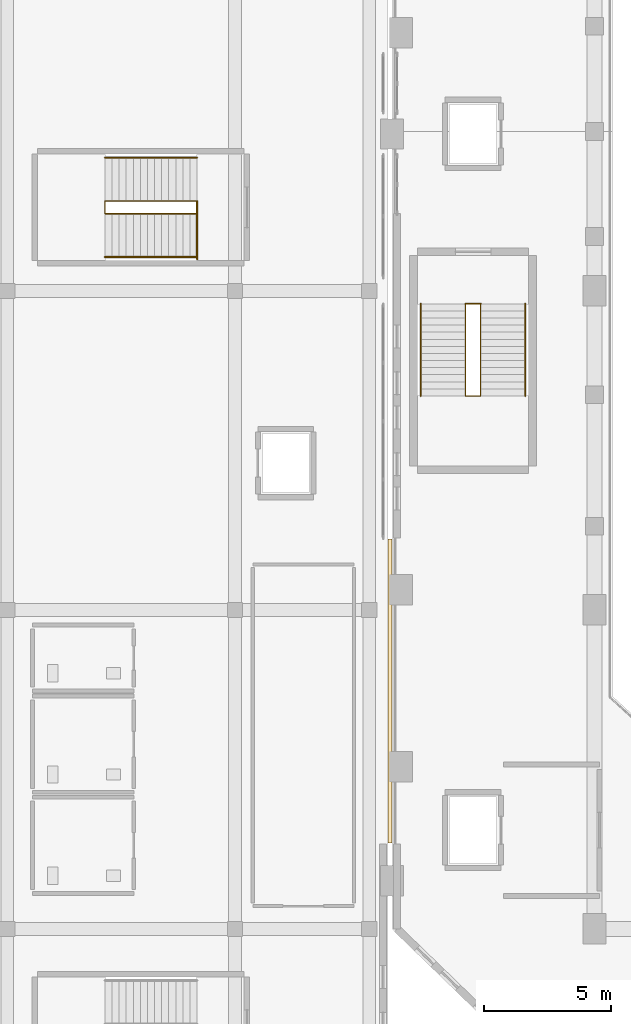
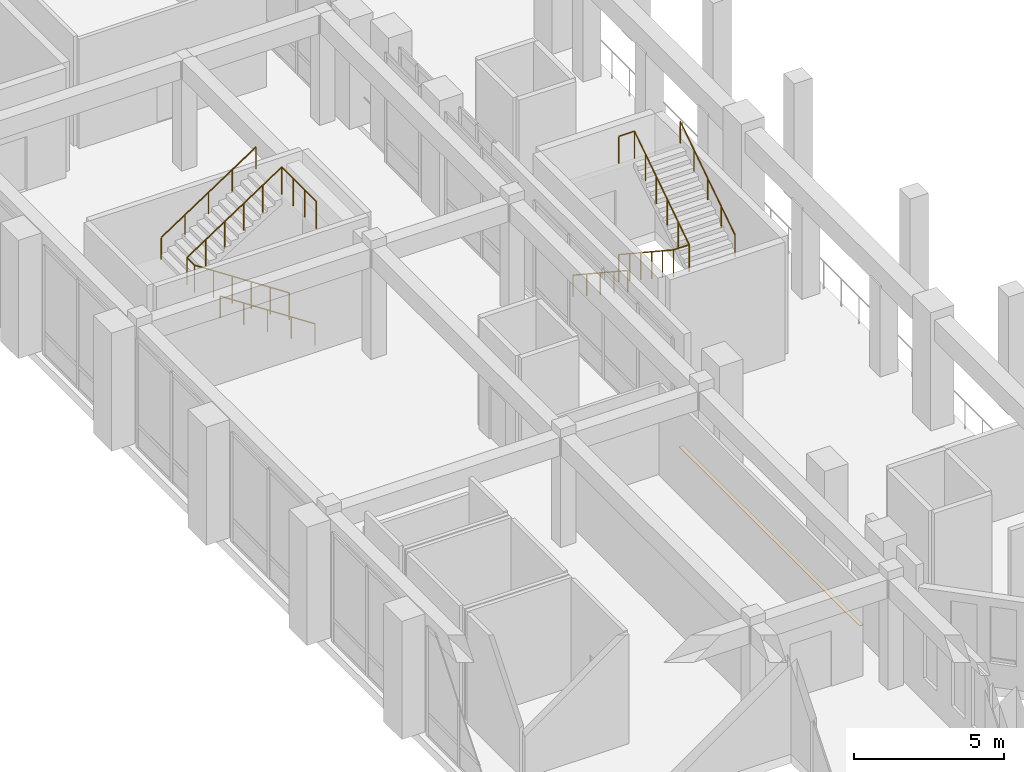
# One storey, part 111 of 126: 8 railings, 1 covering.
"""IFC4 building model written with IfcOpenShell, lengths in metres."""

from ifc_helpers import new_model, si_unit, derived_unit, direction, frame, origin, origin_2d, place, context, subcontext, project, spatial, polyline, circle, outline, extrude, material, layer, layer_set, type_object, element, save


model = new_model("IFC4")

# Units and contexts
model_context = context("Model", 3, precision=1e-05, world=origin(), true_north=direction((0.0, 1.0)))
body_context = subcontext(model_context, "Body", "Model", "MODEL_VIEW")
ifc_project = project(units=[si_unit("LENGTHUNIT", "METRE"), si_unit("AREAUNIT", "SQUARE_METRE"), si_unit("VOLUMEUNIT", "CUBIC_METRE"), si_unit("PLANEANGLEUNIT", "RADIAN"), si_unit("MASSUNIT", "GRAM", prefix="KILO"), derived_unit("THERMALTRANSMITTANCEUNIT", [(si_unit("MASSUNIT", "GRAM", prefix="KILO"), 1), (si_unit("TIMEUNIT", "SECOND"), -3), (si_unit("THERMODYNAMICTEMPERATUREUNIT", "KELVIN"), -1)])], contexts=[model_context])

# Site, building, storey
site_placement = place(None, origin())
site = spatial("IfcSite", under=ifc_project, at=site_placement, CompositionType="ELEMENT")
building_placement = place(site_placement, origin())
building = spatial("IfcBuilding", under=site, at=building_placement, Name="Valcora Ridge Arena", CompositionType="ELEMENT")
storey_placement = place(building_placement, frame((0.0, 0.0, 11.39990234375)))
storey = spatial("IfcBuildingStorey", under=building, at=storey_placement, Name="L02", CompositionType="ELEMENT", Elevation=11.39990234375)

# Covering
ifc_material_1 = material(Name="Steel ASTM A572 Grade 50", Category="steel")
ifc_layer = layer(ifc_material_1, 0.02001953125, Name="Steel ASTM A572 Grade 50")
ifc_layer_set = layer_set([ifc_layer], Name="Steel ASTM A572 Grade 50")
covering_type = type_object("IfcCoveringType", Name="TY-COVERING-COV-SJ-150", PredefinedType="FLOORING", material=ifc_layer_set)
covering_placement = place(storey_placement, frame((0.0, 0.0, -0.02001953125)))
element("IfcCovering", 1, at=covering_placement, inside=storey, type_object=covering_type, Name="COV-SJ-150 COV-SJ-0007", PredefinedType="FLOORING", context=body_context, shape_type="SweptSolid", body=[
    extrude(outline(polyline([(15.85009765625, 36.0), (16.0, 36.0), (16.0, 48.0), (15.85009765625, 48.0), (15.85009765625, 36.0)])), origin(), (0.0, 0.0, 1.0), 0.02001953125),
])

# Railings
ifc_material_2 = material(Name="Galvanized painted steel ASTM A500 Grade B", Category="steel")
railing_type_1 = type_object("IfcRailingType", Name="TY-RAILING-GRD-STAIR-1120", PredefinedType="GUARDRAIL", material=ifc_material_2)
railing_1_placement = place(storey_placement, frame((18.89990234375, 57.2900390625, 0.0)))
element("IfcRailing", 2, at=railing_1_placement, inside=storey, type_object=railing_type_1, Name="GRD-STAIR-1120 RAL-SG-0051", PredefinedType="GUARDRAIL", context=body_context, shape_type="SweptSolid", body=[
    extrude(circle(Radius=0.02392578125, at=origin_2d()), frame((0.0, 0.0, 1.09619140625), z_axis=(0.0, -0.834856447115, 0.55046772177), x_axis=(1.0, 0.0, 0.0)), (0.0, 0.0, 1.0), 4.360107421875),
    extrude(circle(Radius=0.02392578125, at=origin_2d()), frame((0.0, -3.64013671875, 3.49609375), z_axis=(1.0, 0.0, 0.0), x_axis=(0.0, 1.0, 0.0)), (0.0, 0.0, 1.0), 0.60009765625),
    extrude(circle(Radius=0.02392578125, at=origin_2d()), frame((0.60009765625, -3.64013671875, 3.49609375), z_axis=(0.0, 0.83488217925, 0.55042869363), x_axis=(-1.0, 0.0, 0.0)), (0.0, 0.0, 1.0), 4.360107421875),
    extrude(circle(Radius=0.02099609375, at=origin_2d()), origin(), (0.0, 0.0, 1.0), 1.072021484375),
    extrude(circle(Radius=0.02099609375, at=origin_2d()), frame((0.0, -0.72802734375, 0.47998046875)), (0.0, 0.0, 1.0), 1.072021484375),
    extrude(circle(Radius=0.02099609375, at=origin_2d()), frame((0.0, -1.4560546875, 0.9599609375)), (0.0, 0.0, 1.0), 1.072021484375),
    extrude(circle(Radius=0.02099609375, at=origin_2d()), frame((0.0, -2.18408203125, 1.440185546875)), (0.0, 0.0, 1.0), 1.072021484375),
    extrude(circle(Radius=0.02099609375, at=origin_2d()), frame((0.0, -2.912109375, 1.920166015625)), (0.0, 0.0, 1.0), 1.072021484375),
    extrude(circle(Radius=0.02099609375, at=origin_2d()), frame((0.0, -3.64013671875, 2.400146484375)), (0.0, 0.0, 1.0), 1.072021484375),
    extrude(circle(Radius=0.02099609375, at=origin_2d()), frame((0.60009765625, -3.64013671875, 2.400146484375)), (0.0, 0.0, 1.0), 1.072021484375),
    extrude(circle(Radius=0.02099609375, at=origin_2d()), frame((0.60009765625, -2.912109375, 2.880126953125)), (0.0, 0.0, 1.0), 1.072021484375),
    extrude(circle(Radius=0.02099609375, at=origin_2d()), frame((0.60009765625, -2.18408203125, 3.360107421875)), (0.0, 0.0, 1.0), 1.072021484375),
    extrude(circle(Radius=0.02099609375, at=origin_2d()), frame((0.60009765625, -1.4560546875, 3.840087890625)), (0.0, 0.0, 1.0), 1.072021484375),
    extrude(circle(Radius=0.02099609375, at=origin_2d()), frame((0.60009765625, -0.72802734375, 4.320068359375)), (0.0, 0.0, 1.0), 1.072021484375),
    extrude(circle(Radius=0.02099609375, at=origin_2d()), frame((0.60009765625, 0.0, 4.800048828125)), (0.0, 0.0, 1.0), 1.072021484375),
])
railing_2_placement = place(storey_placement, frame((18.89990234375, 57.2900390625, 4.800048828125)))
element("IfcRailing", 3, at=railing_2_placement, inside=storey, type_object=railing_type_1, Name="GRD-STAIR-1120 RAL-SG-0052", PredefinedType="GUARDRAIL", context=body_context, shape_type="SweptSolid", body=[
    extrude(circle(Radius=0.02392578125, at=origin_2d()), frame((0.0, 0.0, 1.09619140625), z_axis=(1.0, 0.0, 0.0), x_axis=(0.0, 1.0, 0.0)), (0.0, 0.0, 1.0), 0.60009765625),
    extrude(circle(Radius=0.02099609375, at=origin_2d()), origin(), (0.0, 0.0, 1.0), 1.072021484375),
    extrude(circle(Radius=0.02099609375, at=origin_2d()), frame((0.60009765625, 0.0, 0.0)), (0.0, 0.0, 1.0), 1.072021484375),
])
railing_3_placement = place(storey_placement, frame((8.300048828125, 60.85009765625, 0.0)))
element("IfcRailing", 4, at=railing_3_placement, inside=storey, type_object=railing_type_1, Name="GRD-STAIR-1120 RAL-SG-0153", PredefinedType="GUARDRAIL", context=body_context, shape_type="SweptSolid", body=[
    extrude(circle(Radius=0.02392578125, at=origin_2d()), frame((0.0, 0.0, 1.09619140625), z_axis=(-0.834856447115, 0.0, 0.55046772177), x_axis=(0.0, -1.0, 0.0)), (0.0, 0.0, 1.0), 4.360107421875),
    extrude(circle(Radius=0.02392578125, at=origin_2d()), frame((-3.64013671875, 0.0, 3.49609375), z_axis=(0.0, 1.0, 0.0), x_axis=(-1.0, 0.0, 0.0)), (0.0, 0.0, 1.0), 0.5),
    extrude(circle(Radius=0.02392578125, at=origin_2d()), frame((-3.64013671875, 0.5, 3.49609375), z_axis=(0.83488217925, 0.0, 0.55042869363), x_axis=(0.0, 1.0, 0.0)), (0.0, 0.0, 1.0), 4.360107421875),
    extrude(circle(Radius=0.02099609375, at=origin_2d()), origin(), (0.0, 0.0, 1.0), 1.072021484375),
    extrude(circle(Radius=0.02099609375, at=origin_2d()), frame((-0.72802734375, 0.0, 0.47998046875)), (0.0, 0.0, 1.0), 1.072021484375),
    extrude(circle(Radius=0.02099609375, at=origin_2d()), frame((-1.4560546875, 0.0, 0.9599609375)), (0.0, 0.0, 1.0), 1.072021484375),
    extrude(circle(Radius=0.02099609375, at=origin_2d()), frame((-2.18408203125, 0.0, 1.440185546875)), (0.0, 0.0, 1.0), 1.072021484375),
    extrude(circle(Radius=0.02099609375, at=origin_2d()), frame((-2.912109375, 0.0, 1.920166015625)), (0.0, 0.0, 1.0), 1.072021484375),
    extrude(circle(Radius=0.02099609375, at=origin_2d()), frame((-3.64013671875, 0.0, 2.400146484375)), (0.0, 0.0, 1.0), 1.072021484375),
    extrude(circle(Radius=0.02099609375, at=origin_2d()), frame((-3.64013671875, 0.5, 2.400146484375)), (0.0, 0.0, 1.0), 1.072021484375),
    extrude(circle(Radius=0.02099609375, at=origin_2d()), frame((-2.912109375, 0.5, 2.880126953125)), (0.0, 0.0, 1.0), 1.072021484375),
    extrude(circle(Radius=0.02099609375, at=origin_2d()), frame((-2.18408203125, 0.5, 3.360107421875)), (0.0, 0.0, 1.0), 1.072021484375),
    extrude(circle(Radius=0.02099609375, at=origin_2d()), frame((-1.4560546875, 0.5, 3.840087890625)), (0.0, 0.0, 1.0), 1.072021484375),
    extrude(circle(Radius=0.02099609375, at=origin_2d()), frame((-0.72802734375, 0.5, 4.320068359375)), (0.0, 0.0, 1.0), 1.072021484375),
    extrude(circle(Radius=0.02099609375, at=origin_2d()), frame((0.0, 0.5, 4.800048828125)), (0.0, 0.0, 1.0), 1.072021484375),
])
railing_4_placement = place(storey_placement, frame((8.300048828125, 59.050048828125, 4.800048828125)))
element("IfcRailing", 5, at=railing_4_placement, inside=storey, type_object=railing_type_1, Name="GRD-STAIR-1120 RAL-SG-0154", PredefinedType="GUARDRAIL", context=body_context, shape_type="SweptSolid", body=[
    extrude(circle(Radius=0.02392578125, at=origin_2d()), frame((0.0, 0.0, 1.09619140625), z_axis=(0.0, 1.0, 0.0), x_axis=(-1.0, 0.0, 0.0)), (0.0, 0.0, 1.0), 2.300048828125),
    extrude(circle(Radius=0.02099609375, at=origin_2d()), origin(), (0.0, 0.0, 1.0), 1.072021484375),
    extrude(circle(Radius=0.02099609375, at=origin_2d()), frame((0.0, 0.7666015625, 0.0)), (0.0, 0.0, 1.0), 1.072021484375),
    extrude(circle(Radius=0.02099609375, at=origin_2d()), frame((0.0, 1.533447265625, 0.0)), (0.0, 0.0, 1.0), 1.072021484375),
    extrude(circle(Radius=0.02099609375, at=origin_2d()), frame((0.0, 2.300048828125, 0.0)), (0.0, 0.0, 1.0), 1.072021484375),
])
railing_type_2 = type_object("IfcRailingType", Name="TY-RAILING-HR-STAIR-900", PredefinedType="HANDRAIL", material=ifc_material_2)
railing_5_placement = place(storey_placement, frame((17.139892578125, 57.2900390625, 0.0)))
element("IfcRailing", 6, at=railing_5_placement, inside=storey, type_object=railing_type_2, Name="HR-STAIR-900 RAL-SH-0051", PredefinedType="HANDRAIL", context=body_context, shape_type="SweptSolid", body=[
    extrude(circle(Radius=0.02392578125, at=origin_2d()), frame((0.0, 0.0, 0.8759765625), z_axis=(0.0, -0.834856447115, 0.55046772177), x_axis=(1.0, 0.0, 0.0)), (0.0, 0.0, 1.0), 4.360107421875),
    extrude(circle(Radius=0.02099609375, at=origin_2d()), origin(), (0.0, 0.0, 1.0), 0.851806640625),
    extrude(circle(Radius=0.02099609375, at=origin_2d()), frame((0.0, -0.91015625, 0.60009765625)), (0.0, 0.0, 1.0), 0.851806640625),
    extrude(circle(Radius=0.02099609375, at=origin_2d()), frame((0.0, -1.820068359375, 1.2001953125)), (0.0, 0.0, 1.0), 0.851806640625),
    extrude(circle(Radius=0.02099609375, at=origin_2d()), frame((0.0, -2.72998046875, 1.800048828125)), (0.0, 0.0, 1.0), 0.851806640625),
    extrude(circle(Radius=0.02099609375, at=origin_2d()), frame((0.0, -3.64013671875, 2.400146484375)), (0.0, 0.0, 1.0), 0.851806640625),
])
railing_6_placement = place(storey_placement, frame((21.260009765625, 53.64990234375, 2.400146484375)))
element("IfcRailing", 7, at=railing_6_placement, inside=storey, type_object=railing_type_2, Name="HR-STAIR-900 RAL-SH-0052", PredefinedType="HANDRAIL", context=body_context, shape_type="SweptSolid", body=[
    extrude(circle(Radius=0.02392578125, at=origin_2d()), frame((0.0, 0.0, 0.8759765625), z_axis=(0.0, 0.83488217925, 0.55042869363), x_axis=(-1.0, 0.0, 0.0)), (0.0, 0.0, 1.0), 4.360107421875),
    extrude(circle(Radius=0.02099609375, at=origin_2d()), origin(), (0.0, 0.0, 1.0), 0.851806640625),
    extrude(circle(Radius=0.02099609375, at=origin_2d()), frame((0.0, 0.91015625, 0.60009765625)), (0.0, 0.0, 1.0), 0.851806640625),
    extrude(circle(Radius=0.02099609375, at=origin_2d()), frame((0.0, 1.820068359375, 1.199951171875)), (0.0, 0.0, 1.0), 0.851806640625),
    extrude(circle(Radius=0.02099609375, at=origin_2d()), frame((0.0, 2.72998046875, 1.7998046875)), (0.0, 0.0, 1.0), 0.851806640625),
    extrude(circle(Radius=0.02099609375, at=origin_2d()), frame((0.0, 3.64013671875, 2.39990234375)), (0.0, 0.0, 1.0), 0.851806640625),
])
railing_7_placement = place(storey_placement, frame((8.300048828125, 59.139892578125, 0.0)))
element("IfcRailing", 8, at=railing_7_placement, inside=storey, type_object=railing_type_2, Name="HR-STAIR-900 RAL-SH-0153", PredefinedType="HANDRAIL", context=body_context, shape_type="SweptSolid", body=[
    extrude(circle(Radius=0.02392578125, at=origin_2d()), frame((0.0, 0.0, 0.8759765625), z_axis=(-0.834856447115, 0.0, 0.55046772177), x_axis=(0.0, -1.0, 0.0)), (0.0, 0.0, 1.0), 4.360107421875),
    extrude(circle(Radius=0.02099609375, at=origin_2d()), origin(), (0.0, 0.0, 1.0), 0.851806640625),
    extrude(circle(Radius=0.02099609375, at=origin_2d()), frame((-0.91015625, 0.0, 0.60009765625)), (0.0, 0.0, 1.0), 0.851806640625),
    extrude(circle(Radius=0.02099609375, at=origin_2d()), frame((-1.820068359375, 0.0, 1.2001953125)), (0.0, 0.0, 1.0), 0.851806640625),
    extrude(circle(Radius=0.02099609375, at=origin_2d()), frame((-2.72998046875, 0.0, 1.800048828125)), (0.0, 0.0, 1.0), 0.851806640625),
    extrude(circle(Radius=0.02099609375, at=origin_2d()), frame((-3.64013671875, 0.0, 2.400146484375)), (0.0, 0.0, 1.0), 0.851806640625),
])
railing_8_placement = place(storey_placement, frame((4.659912109375, 63.06005859375, 2.400146484375)))
element("IfcRailing", 9, at=railing_8_placement, inside=storey, type_object=railing_type_2, Name="HR-STAIR-900 RAL-SH-0154", PredefinedType="HANDRAIL", context=body_context, shape_type="SweptSolid", body=[
    extrude(circle(Radius=0.02392578125, at=origin_2d()), frame((0.0, 0.0, 0.8759765625), z_axis=(0.83488217925, 0.0, 0.55042869363), x_axis=(0.0, 1.0, 0.0)), (0.0, 0.0, 1.0), 4.360107421875),
    extrude(circle(Radius=0.02099609375, at=origin_2d()), origin(), (0.0, 0.0, 1.0), 0.851806640625),
    extrude(circle(Radius=0.02099609375, at=origin_2d()), frame((0.91015625, 0.0, 0.60009765625)), (0.0, 0.0, 1.0), 0.851806640625),
    extrude(circle(Radius=0.02099609375, at=origin_2d()), frame((1.820068359375, 0.0, 1.199951171875)), (0.0, 0.0, 1.0), 0.851806640625),
    extrude(circle(Radius=0.02099609375, at=origin_2d()), frame((2.72998046875, 0.0, 1.7998046875)), (0.0, 0.0, 1.0), 0.851806640625),
    extrude(circle(Radius=0.02099609375, at=origin_2d()), frame((3.64013671875, 0.0, 2.39990234375)), (0.0, 0.0, 1.0), 0.851806640625),
])

save(model, "model.ifc")
